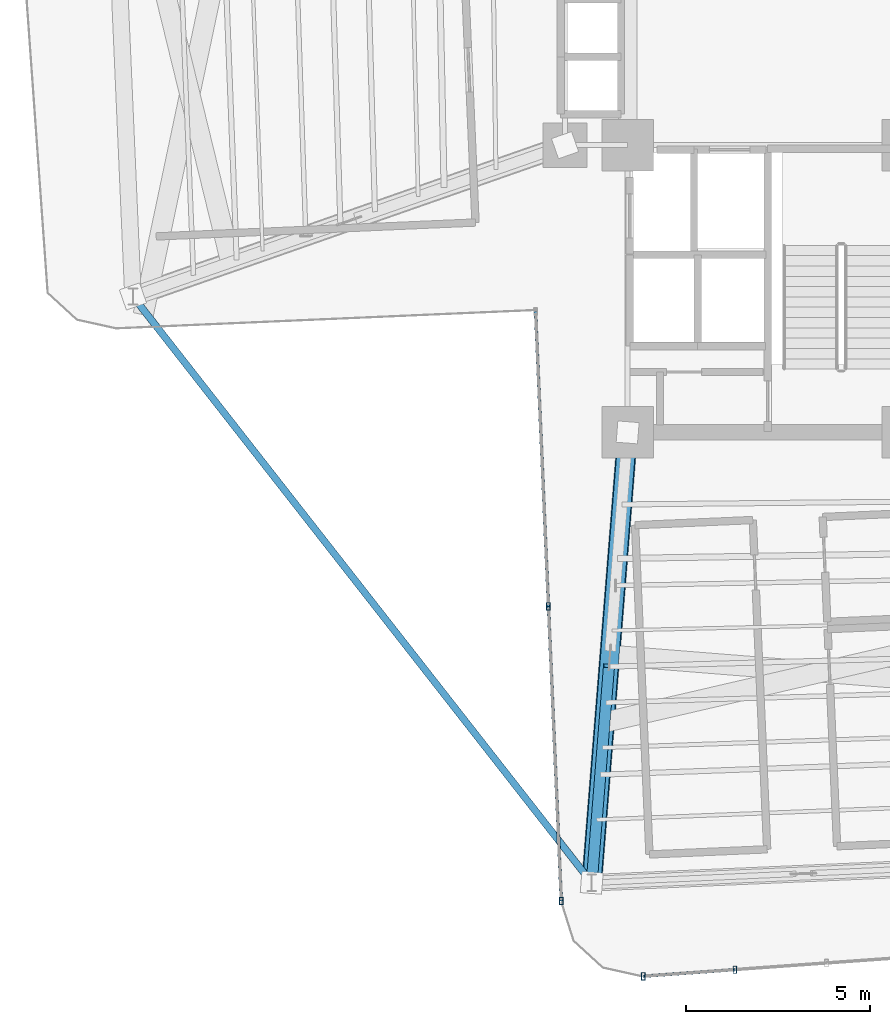
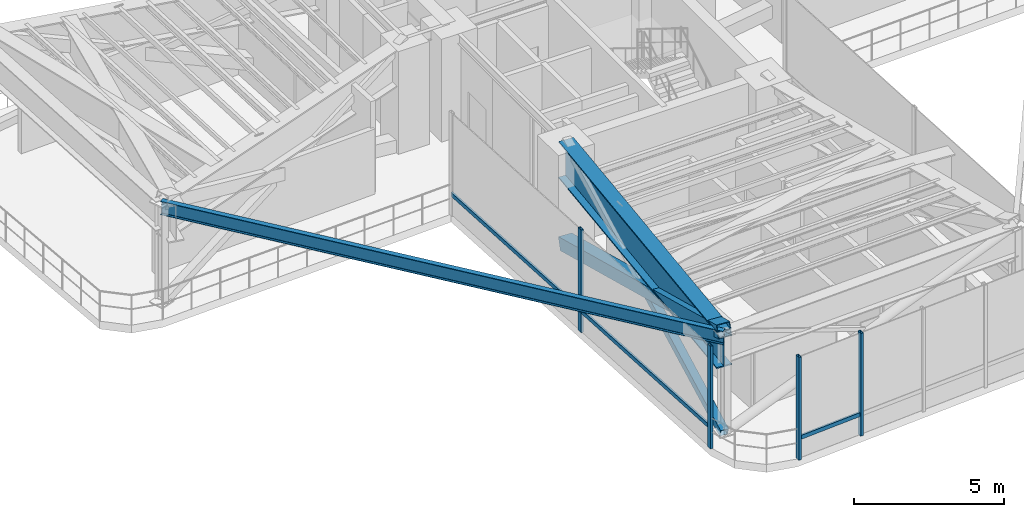
# One storey, part 3 of 18: 9 members, 2 beams, 2 elements without a shape of their own.
"""IFC4 building model written with IfcOpenShell, lengths in metres."""

from ifc_helpers import new_model, si_unit, direction, frame, origin, origin_2d, place, context, subcontext, project, spatial, hollow_rectangle, i_section, extrude, source, transform, mapped, material, material_profile, profile_set, type_object, element, aggregate, save


model = new_model("IFC4")

# Units and contexts
model_context = context("Model", 3, precision=1e-05, world=origin(), true_north=direction((0.0, 1.0)))
body_context = subcontext(model_context, "Body", "Model", "MODEL_VIEW")
ifc_project = project(units=[si_unit("LENGTHUNIT", "METRE"), si_unit("AREAUNIT", "SQUARE_METRE"), si_unit("VOLUMEUNIT", "CUBIC_METRE"), si_unit("PLANEANGLEUNIT", "RADIAN"), si_unit("MASSUNIT", "GRAM", prefix="KILO")], contexts=[model_context])

# Site, building, storey
site_placement = place(None, origin())
site = spatial("IfcSite", under=ifc_project, at=site_placement, CompositionType="ELEMENT")
building_placement = place(site_placement, origin())
building = spatial("IfcBuilding", under=site, at=building_placement, Name="Sahyath Konkavel Grand Hotel", CompositionType="ELEMENT")
storey_placement = place(building_placement, frame((0.0, 0.0, 138.25)))
storey = spatial("IfcBuildingStorey", under=building, at=storey_placement, Name="L38", CompositionType="ELEMENT", Elevation=138.25)

# Beams
ifc_material_1 = material(Name="Steel E450", Category="steel")
ifc_material_profile_1 = material_profile(ifc_material_1, i_section(OverallWidth=0.550048828125, OverallDepth=1.5, WebThickness=0.028076171875, FlangeThickness=0.050048828125, at=origin_2d()), Name="BPG 1500x550")
ifc_profile_set_1 = profile_set([ifc_material_profile_1], Name="Steel E450")
beam_type_1 = type_object("IfcBeamType", Name="BM-BPG1500", PredefinedType="BEAM", material=ifc_profile_set_1)
shared_shape_1 = source(origin(), body_context, "Body", "SweptSolid", [
    extrude(i_section(OverallWidth=0.550048828125, OverallDepth=1.5, WebThickness=0.028076171875, FlangeThickness=0.050048828125, at=origin_2d()), origin(), (0.0, 0.0, 1.0), 12.2685546875),
])
beam_1_placement = place(storey_placement, frame((-3.800048828125, -10.199951171875, 3.429931640625), z_axis=(-0.079558563357, -0.996830193662, 0.0), x_axis=(0.996830193662, -0.079558563357, 0.0)))
element("IfcBeam", 1, at=beam_1_placement, inside=storey, type_object=beam_type_1, Name="L38 Setback Transfer Girder SA", PredefinedType="BEAM", context=body_context, shape_type="MappedRepresentation", body=[
    mapped(shared_shape_1, transform((0.0, 0.0, 0.0), scale=1.0)),
])
ifc_material_2 = material(Name="Steel E350", Category="steel")
ifc_material_profile_2 = material_profile(ifc_material_2, i_section(OverallWidth=0.18994140625, OverallDepth=0.550048828125, WebThickness=0.01123046875, FlangeThickness=0.019287109375, FilletRadius=0.01806640625, at=origin_2d()), Name="ISMB 550")
ifc_profile_set_2 = profile_set([ifc_material_profile_2], Name="Steel E350")
beam_type_2 = type_object("IfcBeamType", Name="BM-ISMB550", PredefinedType="BEAM", material=ifc_profile_set_2)
shared_shape_2 = source(origin(), body_context, "Body", "SweptSolid", [
    extrude(i_section(OverallWidth=0.18994140625, OverallDepth=0.550048828125, WebThickness=0.01123046875, FlangeThickness=0.019287109375, FilletRadius=0.01806640625, at=origin_2d()), origin(), (0.0, 0.0, 1.0), 20.215576171875),
])
beam_2_placement = place(storey_placement, frame((-17.232421875, -6.5078125, 3.905029296875), z_axis=(0.616176369687, -0.787608203004, 0.0), x_axis=(0.787608203004, 0.616176369687, 0.0)))
element("IfcBeam", 2, at=beam_2_placement, inside=storey, type_object=beam_type_2, Name="L38 Re-Entrant Tie Beam SW", PredefinedType="BEAM", context=body_context, shape_type="MappedRepresentation", body=[
    mapped(shared_shape_2, transform((0.0, 0.0, 0.0), scale=1.0)),
])

# Members
ifc_material_profile_3 = material_profile(ifc_material_1, hollow_rectangle(XDim=0.5, YDim=0.5, WallThickness=0.02490234375, at=origin_2d()), Name="BOX 500x500x25")
ifc_profile_set_3 = profile_set([ifc_material_profile_3], Name="Steel E450")
member_type_1 = type_object("IfcMemberType", Name="BR-BOX500", PredefinedType="BRACE", material=ifc_profile_set_3)
shared_shape_3 = source(origin(), body_context, "Body", "SweptSolid", [
    extrude(hollow_rectangle(XDim=0.5, YDim=0.5, WallThickness=0.02490234375, at=origin_2d()), origin(), (0.0, 0.0, 1.0), 12.95458984375),
])
member_1_placement = place(storey_placement, frame((-3.800048828125, -10.199951171875, 0.010009765625), z_axis=(-0.075345228732, -0.944039155301, 0.32111239429), x_axis=(0.996830193662, -0.079558563357, 0.0)))
element("IfcMember", 3, at=member_1_placement, inside=storey, type_object=member_type_1, Name="L38 Core Outrigger Truss SA Continuous Diagonal 1", PredefinedType="BRACE", context=body_context, shape_type="MappedRepresentation", body=[
    mapped(shared_shape_3, transform((0.0, 0.0, 0.0), scale=1.0)),
])
ifc_material_profile_4 = material_profile(ifc_material_1, hollow_rectangle(XDim=0.300048828125, YDim=0.300048828125, WallThickness=0.01611328125, at=origin_2d()), Name="SHS 300x300x16")
ifc_profile_set_4 = profile_set([ifc_material_profile_4], Name="Steel E450")
member_type_2 = type_object("IfcMemberType", Name="BR-SHS300", PredefinedType="BRACE", material=ifc_profile_set_4)
shared_shape_4 = source(origin(), body_context, "Body", "SweptSolid", [
    extrude(hollow_rectangle(XDim=0.300048828125, YDim=0.300048828125, WallThickness=0.01611328125, at=origin_2d()), origin(), (0.0, 0.0, 1.0), 6.2373046875),
])
member_2_placement = place(storey_placement, frame((-4.776123046875, -22.4296875, 0.010009765625), z_axis=(0.075349006821, 0.944034985198, 0.321123767251), x_axis=(-0.996829849399, 0.079562876693, 0.0)))
element("IfcMember", 4, at=member_2_placement, inside=storey, type_object=member_type_2, Name="L38 Core Outrigger Truss SA Split Lower Diagonal 2A", PredefinedType="BRACE", context=body_context, shape_type="MappedRepresentation", body=[
    mapped(shared_shape_4, transform((0.0, 0.0, 0.0), scale=1.0)),
])

# Curtain wall, members
ifc_material_3 = material(Name="Anodised Bronze Aluminium & Low-E Glazing", Category="aluminium")
curtain_wall_type = type_object("IfcCurtainWallType", Name="CW-SKYLOBBY", PredefinedType="NOTDEFINED", material=ifc_material_3)
curtain_wall_1_placement = place(storey_placement, origin())
curtain_wall_1 = element("IfcCurtainWall", 5, at=curtain_wall_1_placement, inside=storey, type_object=curtain_wall_type, Name="L38 Unitised Curtain Wall RF24", PredefinedType="NOTDEFINED")
ifc_material_4 = material(Name="Anodised Bronze Aluminium", Category="aluminium")
ifc_material_profile_5 = material_profile(ifc_material_4, hollow_rectangle(XDim=0.10009765625, YDim=0.199951171875, WallThickness=0.008056640625, at=origin_2d()), Name="RHS 200x100x8")
ifc_profile_set_5 = profile_set([ifc_material_profile_5], Name="Anodised Bronze Aluminium")
member_type_3 = type_object("IfcMemberType", Name="CW-MUL-200", PredefinedType="MULLION", material=ifc_profile_set_5)
shared_shape_5 = source(origin(), body_context, "Body", "SweptSolid", [
    extrude(hollow_rectangle(XDim=0.10009765625, YDim=0.199951171875, WallThickness=0.008056640625, at=origin_2d()), origin(), (0.0, 0.0, 1.0), 4.179931640625),
])
member_3_placement = place(storey_placement, frame((-5.95458984375, -14.924072265625, 0.0), z_axis=(0.0, 0.0, 1.0), x_axis=(1.0, 0.0, 0.0)))
member_3 = element("IfcMember", 6, at=member_3_placement, type_object=member_type_3, Name="L38 Curtain Wall Mullion RF24-1", PredefinedType="MULLION", context=body_context, shape_type="MappedRepresentation", body=[
    mapped(shared_shape_5, transform((0.0, 0.0, 0.0), scale=1.0)),
])
member_4_placement = place(storey_placement, frame((-5.605224609375, -22.92626953125, 0.0), z_axis=(0.0, 0.0, 1.0), x_axis=(1.0, 0.0, 0.0)))
member_4 = element("IfcMember", 7, at=member_4_placement, type_object=member_type_3, Name="L38 Curtain Wall Mullion RF24-2", PredefinedType="MULLION", context=body_context, shape_type="MappedRepresentation", body=[
    mapped(shared_shape_5, transform((0.0, 0.0, 0.0), scale=1.0)),
])

curtain_wall_2_placement = place(storey_placement, origin())
curtain_wall_2 = element("IfcCurtainWall", 8, at=curtain_wall_2_placement, inside=storey, type_object=curtain_wall_type, Name="L38 Unitised Curtain Wall RF28", PredefinedType="NOTDEFINED")
member_5_placement = place(storey_placement, frame((-3.3740234375, -24.9697265625, 0.0), z_axis=(0.0, 0.0, 1.0), x_axis=(1.0, 0.0, 0.0)))
member_5 = element("IfcMember", 9, at=member_5_placement, type_object=member_type_3, Name="L38 Curtain Wall Mullion RF28-0", PredefinedType="MULLION", context=body_context, shape_type="MappedRepresentation", body=[
    mapped(shared_shape_5, transform((0.0, 0.0, 0.0), scale=1.0)),
])
member_6_placement = place(storey_placement, frame((-0.886962890625, -24.79150390625, 0.0), z_axis=(0.0, 0.0, 1.0), x_axis=(1.0, 0.0, 0.0)))
member_6 = element("IfcMember", 10, at=member_6_placement, type_object=member_type_3, Name="L38 Curtain Wall Mullion RF28-1", PredefinedType="MULLION", context=body_context, shape_type="MappedRepresentation", body=[
    mapped(shared_shape_5, transform((0.0, 0.0, 0.0), scale=1.0)),
])
ifc_material_profile_6 = material_profile(ifc_material_4, hollow_rectangle(XDim=0.080078125, YDim=0.159912109375, WallThickness=0.006103515625, at=origin_2d()), Name="RHS 160x80x6")
ifc_profile_set_6 = profile_set([ifc_material_profile_6], Name="Anodised Bronze Aluminium")
member_type_4 = type_object("IfcMemberType", Name="CW-TRN-160", PredefinedType="USERDEFINED", material=ifc_profile_set_6)
shared_shape_6 = source(origin(), body_context, "Body", "SweptSolid", [
    extrude(hollow_rectangle(XDim=0.080078125, YDim=0.159912109375, WallThickness=0.006103515625, at=origin_2d()), origin(), (0.0, 0.0, 1.0), 2.493408203125),
])
member_7_placement = place(storey_placement, frame((-3.3740234375, -24.9697265625, 0.85009765625), z_axis=(0.997442271688, 0.071476672066, 0.0), x_axis=(-0.071476672066, 0.997442271688, 0.0)))
member_7 = element("IfcMember", 11, at=member_7_placement, type_object=member_type_4, Name="L38 Curtain Wall Transom RF28-0-spandrel", ObjectType="TRANSOM", PredefinedType="USERDEFINED", context=body_context, shape_type="MappedRepresentation", body=[
    mapped(shared_shape_6, transform((0.0, 0.0, 0.0), scale=1.0)),
])
aggregate(curtain_wall_2, [member_5, member_6, member_7])

# Member
shared_shape_7 = source(origin(), body_context, "Body", "SweptSolid", [
    extrude(hollow_rectangle(XDim=0.080078125, YDim=0.159912109375, WallThickness=0.006103515625, at=origin_2d()), origin(), (0.0, 0.0, 1.0), 8.010009765625),
])
member_8_placement = place(storey_placement, frame((-6.30419921875, -6.921630859375, 0.85009765625), z_axis=(0.043646207089, -0.999047050247, 0.0), x_axis=(0.999047050247, 0.043646207089, 0.0)))
member_8 = element("IfcMember", 12, at=member_8_placement, type_object=member_type_4, Name="L38 Curtain Wall Transom RF24-0-spandrel", ObjectType="TRANSOM", PredefinedType="USERDEFINED", context=body_context, shape_type="MappedRepresentation", body=[
    mapped(shared_shape_7, transform((0.0, 0.0, 0.0), scale=1.0)),
])

shared_shape_8 = source(origin(), body_context, "Body", "SweptSolid", [
    extrude(hollow_rectangle(XDim=0.080078125, YDim=0.159912109375, WallThickness=0.006103515625, at=origin_2d()), origin(), (0.0, 0.0, 1.0), 8.009765625),
])
member_9_placement = place(storey_placement, frame((-5.95458984375, -14.924072265625, 0.85009765625), z_axis=(0.043617114047, -0.999048320834, 0.0), x_axis=(0.999048320834, 0.043617114047, 0.0)))
member_9 = element("IfcMember", 13, at=member_9_placement, type_object=member_type_4, Name="L38 Curtain Wall Transom RF24-1-spandrel", ObjectType="TRANSOM", PredefinedType="USERDEFINED", context=body_context, shape_type="MappedRepresentation", body=[
    mapped(shared_shape_8, transform((0.0, 0.0, 0.0), scale=1.0)),
])

aggregate(curtain_wall_1, [member_3, member_4, member_8, member_9])

save(model, "model.ifc")
